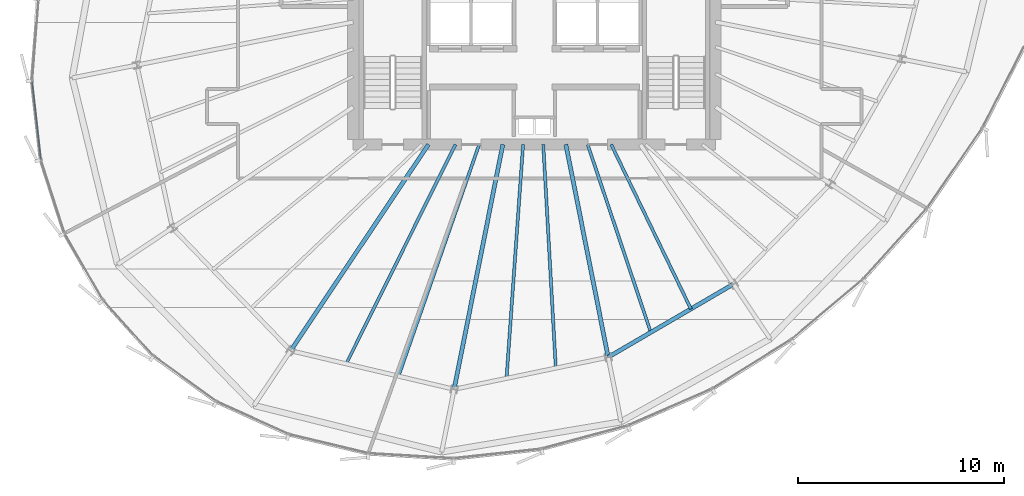
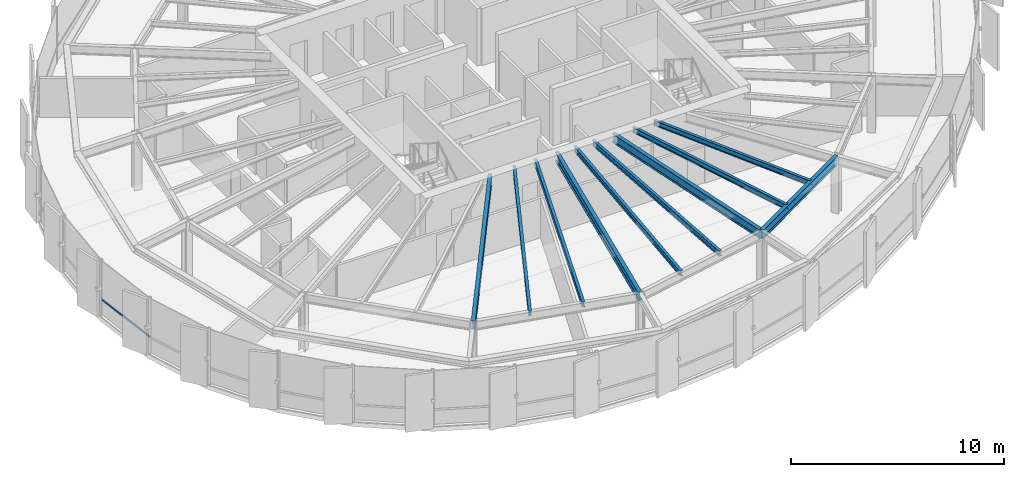
# One storey, part 8 of 35: 10 beams, 1 member, 1 element without a shape of its own.
"""IFC4 building model written with IfcOpenShell, lengths in metres."""

import ifcopenshell
import ifcopenshell.guid

model = None  # the IFC model being written
_history = None  # IfcOwnerHistory: only IFC2X3 demands one
_inside = {}  # id of a spatial element -> (the spatial element, [elements in it])
_under = {}  # id of a project, library or spatial element -> (it, [spatial elements below it])
_declared = {}  # id of a project -> (the project, [libraries it declares])
_typed = {}  # id of a type object -> (the type object, [elements of that type])
_made_of = {}  # id of a material, layer set ... -> (it, [elements and type objects made of it])


def new_model(schema):
    """Start an empty IFC model of exactly this schema.

    Asked for "IFC4X3", IfcOpenShell would pick the latest addendum, in which some entities
    have other attributes; the version numbers below select the first issue.
    IFC2X3 requires an IfcOwnerHistory on every rooted entity: one is made here for all.
    """
    global model, _history
    if schema == "IFC4X3":
        model = ifcopenshell.file(schema_version=(4, 3, 0, 0))
    else:
        model = ifcopenshell.file(schema=schema)
    _inside.clear()
    _under.clear()
    _declared.clear()
    _typed.clear()
    _made_of.clear()
    _history = None
    if model.schema == "IFC2X3":
        org = make("IfcOrganization", Name="unknown")
        user = make(
            "IfcPersonAndOrganization",
            ThePerson=make("IfcPerson", FamilyName="unknown"),
            TheOrganization=org,
        )
        app = make(
            "IfcApplication",
            ApplicationDeveloper=org,
            Version="unknown",
            ApplicationFullName="unknown",
            ApplicationIdentifier="unknown",
        )
        _history = make(
            "IfcOwnerHistory",
            OwningUser=user,
            OwningApplication=app,
            ChangeAction="ADDED",
            CreationDate=0,
        )
    return model


def make(cls, **values):
    """One entity of the class cls with the attributes given. An attribute that is None is left unset."""
    return model.create_entity(
        cls, **{name: value for name, value in values.items() if value is not None}
    )


def rooted(cls, **values):
    """An entity with a GlobalId (a new one), such as an element, a storey or a relation."""
    return make(cls, GlobalId=ifcopenshell.guid.new(), OwnerHistory=_history, **values)


def si_unit(unit_type, name, prefix=None):
    """IfcSIUnit, for example si_unit("LENGTHUNIT", "METRE", prefix="MILLI")."""
    return make("IfcSIUnit", UnitType=unit_type, Prefix=prefix, Name=name)


def assignment(units):
    """IfcUnitAssignment: the units of a project."""
    return None if units is None else make("IfcUnitAssignment", Units=units)


def point(xyz):
    """IfcCartesianPoint."""
    return None if xyz is None else make("IfcCartesianPoint", Coordinates=xyz)


def direction(xyz):
    """IfcDirection."""
    return None if xyz is None else make("IfcDirection", DirectionRatios=xyz)


def frame(location, z_axis=None, x_axis=None):
    """IfcAxis2Placement3D, a coordinate frame: its origin and axes. An axis left out is left unset."""
    return make(
        "IfcAxis2Placement3D",
        Location=point(location),
        Axis=direction(z_axis),
        RefDirection=direction(x_axis),
    )


def frame_2d(location, x_axis=None):
    """IfcAxis2Placement2D, a coordinate frame in the plane: its origin and x axis."""
    return make(
        "IfcAxis2Placement2D", Location=point(location), RefDirection=direction(x_axis)
    )


def origin():
    """The frame at (0, 0, 0) with its axes left unset."""
    return frame((0.0, 0.0, 0.0))


def origin_2d():
    """The frame at (0, 0) in the plane with its x axis left unset."""
    return frame_2d((0.0, 0.0))


def place(relative_to, where):
    """IfcLocalPlacement: puts the frame where relative to a parent placement (None: the world)."""
    return make(
        "IfcLocalPlacement", PlacementRelTo=relative_to, RelativePlacement=where
    )


def context(
    kind, dimensions, precision=None, world=None, true_north=None, identifier=None
):
    """IfcGeometricRepresentationContext, for example the 3D "Model" context."""
    return make(
        "IfcGeometricRepresentationContext",
        ContextIdentifier=identifier,
        ContextType=kind,
        CoordinateSpaceDimension=dimensions,
        Precision=precision,
        WorldCoordinateSystem=world,
        TrueNorth=true_north,
    )


def subcontext(parent, identifier, kind, view, scale=None):
    """IfcGeometricRepresentationSubContext, for example "Body" below "Model"."""
    return make(
        "IfcGeometricRepresentationSubContext",
        ContextIdentifier=identifier,
        ContextType=kind,
        ParentContext=parent,
        TargetScale=scale,
        TargetView=view,
    )


def project(units=None, contexts=None):
    """IfcProject with its units and contexts."""
    return rooted(
        "IfcProject",
        Name="project",
        RepresentationContexts=contexts,
        UnitsInContext=assignment(units),
    )


def spatial(cls, under=None, at=None, **own):
    """A site, building, storey or space (cls), placed at a placement, below another one or the project."""
    s = rooted(cls, ObjectPlacement=at, **own)
    if under is not None:
        _under.setdefault(under.id(), (under, []))[1].append(s)
    return s


def profile(cls, at=None, kind="AREA", **sizes):
    """A parametric profile (cls). Its sizes go by their IFC names, for example OverallWidth=200.0."""
    return make(cls, ProfileType=kind, Position=at, **sizes)


def hollow_rectangle(**sizes):
    """IfcRectangleHollowProfileDef."""
    return profile("IfcRectangleHollowProfileDef", **sizes)


def i_section(**sizes):
    """IfcIShapeProfileDef."""
    return profile("IfcIShapeProfileDef", **sizes)


def extrude(swept, where, along, depth):
    """IfcExtrudedAreaSolid: the profile swept, set in the frame where, extruded along a direction by depth."""
    return make(
        "IfcExtrudedAreaSolid",
        SweptArea=swept,
        Position=where,
        ExtrudedDirection=direction(along),
        Depth=depth,
    )


def shape(context_of_items, identifier, shape_type, items):
    """IfcShapeRepresentation: the items that make up one representation, for example the "Body"."""
    return make(
        "IfcShapeRepresentation",
        ContextOfItems=context_of_items,
        RepresentationIdentifier=identifier,
        RepresentationType=shape_type,
        Items=items,
    )


def source(mapping_origin, context_of_items, identifier, shape_type, items):
    """IfcRepresentationMap: a shape defined once, which mapped items show again and again."""
    return make(
        "IfcRepresentationMap",
        MappingOrigin=mapping_origin,
        MappedRepresentation=shape(context_of_items, identifier, shape_type, items),
    )


def transform(
    local_origin,
    x_axis=None,
    y_axis=None,
    z_axis=None,
    scale=None,
    scale2=None,
    scale3=None,
    uniform=True,
):
    """IfcCartesianTransformationOperator3D, or its non-uniform kind. x_axis, y_axis, z_axis: its Axis1, 2, 3."""
    if uniform:
        return make(
            "IfcCartesianTransformationOperator3D",
            Axis1=direction(x_axis),
            Axis2=direction(y_axis),
            LocalOrigin=point(local_origin),
            Scale=scale,
            Axis3=direction(z_axis),
        )
    return make(
        "IfcCartesianTransformationOperator3DnonUniform",
        Axis1=direction(x_axis),
        Axis2=direction(y_axis),
        LocalOrigin=point(local_origin),
        Scale=scale,
        Axis3=direction(z_axis),
        Scale2=scale2,
        Scale3=scale3,
    )


def mapped(mapping_source, mapping_target):
    """IfcMappedItem: shows the shape of a source again, moved by a transform."""
    return make(
        "IfcMappedItem", MappingSource=mapping_source, MappingTarget=mapping_target
    )


def material(Name=None, Category=None):
    """IfcMaterial."""
    return make("IfcMaterial", Name=Name, Category=Category)


def layer(
    of_material, thickness, ventilated=None, Name=None, Category=None, Priority=None
):
    """IfcMaterialLayer: one layer of a wall or slab, of a material (None: an air gap)."""
    return make(
        "IfcMaterialLayer",
        Material=of_material,
        LayerThickness=thickness,
        IsVentilated=ventilated,
        Name=Name,
        Category=Category,
        Priority=Priority,
    )


def layer_set(layers, Name=None):
    """IfcMaterialLayerSet."""
    return make("IfcMaterialLayerSet", MaterialLayers=layers, LayerSetName=Name)


def material_profile(
    of_material, cross_section, Name=None, Category=None, Priority=None
):
    """IfcMaterialProfile: a cross section and its material."""
    return make(
        "IfcMaterialProfile",
        Name=Name,
        Material=of_material,
        Profile=cross_section,
        Priority=Priority,
        Category=Category,
    )


def profile_set(profiles, Name=None, composite=None):
    """IfcMaterialProfileSet."""
    return make(
        "IfcMaterialProfileSet",
        Name=Name,
        MaterialProfiles=profiles,
        CompositeProfile=composite,
    )


def made_of(thing, what):
    """Note that an element or type object is made of a material, layer set ...; save() writes the relation."""
    if what is not None:
        _made_of.setdefault(what.id(), (what, []))[1].append(thing)
    return thing


def type_object(cls, material=None, **own):
    """A type object (cls), such as IfcWallType, which elements share."""
    return made_of(rooted(cls, **own), material)


def element(
    cls,
    number,
    at=None,
    inside=None,
    cuts=None,
    type_object=None,
    material=None,
    context=None,
    identifier="Body",
    shape_type=None,
    held_by="IfcProductDefinitionShape",
    body=None,
    shapes=None,
    **own,
):
    """One element of the class cls, such as IfcWall. Its Tag is "e" and its number.

    at: its placement. inside: the storey or other place that contains it. cuts: it is an
    opening in that element (IfcRelVoidsElement). A single representation is given by context,
    identifier, shape_type and body (its items); several are given by shapes. held_by: the class
    of the entity that holds the representations. save() writes the other relations.
    """
    e = rooted(cls, Tag="e%d" % number, ObjectPlacement=at, **own)
    if body is not None:
        shapes = [shape(context, identifier, shape_type, body)]
    if shapes is not None:
        e.Representation = make(held_by, Representations=shapes)
    if inside is not None:
        _inside.setdefault(inside.id(), (inside, []))[1].append(e)
    if cuts is not None:
        rooted(
            "IfcRelVoidsElement", RelatingBuildingElement=cuts, RelatedOpeningElement=e
        )
    if type_object is not None:
        _typed.setdefault(type_object.id(), (type_object, []))[1].append(e)
    return made_of(e, material)


def aggregate(whole, parts):
    """IfcRelAggregates: a whole, such as a stair, and the parts it consists of."""
    return rooted("IfcRelAggregates", RelatingObject=whole, RelatedObjects=parts)


def save(model, path):
    """Write the relations noted so far, then the file.

    IfcRelAggregates (storeys below a building ...), IfcRelContainedInSpatialStructure (elements
    in a storey), IfcRelDefinesByType, IfcRelAssociatesMaterial and IfcRelDeclares: one each for
    every whole, place, type object, material and project.
    """
    for whole, parts in _under.values():
        aggregate(whole, parts)
    for where, things in _inside.values():
        rooted(
            "IfcRelContainedInSpatialStructure",
            RelatedElements=things,
            RelatingStructure=where,
        )
    for kind, things in _typed.values():
        rooted("IfcRelDefinesByType", RelatedObjects=things, RelatingType=kind)
    for what, things in _made_of.values():
        rooted("IfcRelAssociatesMaterial", RelatedObjects=things, RelatingMaterial=what)
    for by, libraries in _declared.values():
        rooted("IfcRelDeclares", RelatingContext=by, RelatedDefinitions=libraries)
    model.write(path)


model = new_model("IFC4")

# Units and contexts
model_context = context("Model", 3, precision=1e-05, world=origin(), true_north=direction((0.0, 1.0)))
body_context = subcontext(model_context, "Body", "Model", "MODEL_VIEW")
ifc_project = project(units=[si_unit("LENGTHUNIT", "METRE"), si_unit("AREAUNIT", "SQUARE_METRE"), si_unit("VOLUMEUNIT", "CUBIC_METRE"), si_unit("PLANEANGLEUNIT", "RADIAN"), si_unit("MASSUNIT", "GRAM", prefix="KILO"), si_unit("THERMODYNAMICTEMPERATUREUNIT", "KELVIN")], contexts=[model_context])

# Site, building, storey
site_placement = place(None, origin())
site = spatial("IfcSite", under=ifc_project, at=site_placement, CompositionType="ELEMENT")
building_placement = place(site_placement, origin())
building = spatial("IfcBuilding", under=site, at=building_placement, Name="Kethvar Cultural Tower", CompositionType="ELEMENT")
storey_placement = place(building_placement, frame((0.0, 0.0, 179.89990234375)))
storey = spatial("IfcBuildingStorey", under=building, at=storey_placement, Name="L46", CompositionType="ELEMENT", Elevation=179.89990234375)

# Beams
ifc_material_1 = material(Name="Steel S355J2", Category="steel")
ifc_material_profile_1 = material_profile(ifc_material_1, i_section(OverallWidth=0.199951171875, OverallDepth=0.5, WebThickness=0.01025390625, FlangeThickness=0.01611328125, FilletRadius=0.02099609375, at=origin_2d()), Name="Steel S355J2 — IPE500")
ifc_profile_set_1 = profile_set([ifc_material_profile_1], Name="Steel S355J2 — IPE500")
beam_type_1 = type_object("IfcBeamType", Name="BM-IPE500", PredefinedType="BEAM", material=ifc_profile_set_1)
shared_shape_1 = source(origin(), body_context, "Body", "SweptSolid", [
    extrude(i_section(OverallWidth=0.199951171875, OverallDepth=0.5, WebThickness=0.01025390625, FlangeThickness=0.01611328125, FilletRadius=0.02099609375, at=origin_2d()), origin(), (0.0, 0.0, 1.0), 12.0458984375),
])
beam_1_placement = place(storey_placement, frame((41.655029296875, 20.10009765625, 3.008056640625), z_axis=(-0.555569831996, -0.831469880258, 0.0), x_axis=(0.831469880258, -0.555569831996, 0.0)))
element("IfcBeam", 1, at=beam_1_placement, inside=storey, type_object=beam_type_1, Name="L46 Primary Radial Beam RB-11", PredefinedType="BEAM", context=body_context, shape_type="MappedRepresentation", body=[
    mapped(shared_shape_1, transform((0.0, 0.0, 0.0), scale=1.0)),
])
shared_shape_2 = source(origin(), body_context, "Body", "SweptSolid", [
    extrude(i_section(OverallWidth=0.199951171875, OverallDepth=0.5, WebThickness=0.01025390625, FlangeThickness=0.01611328125, FilletRadius=0.02099609375, at=origin_2d()), origin(), (0.0, 0.0, 1.0), 12.1220703125),
])
beam_2_placement = place(storey_placement, frame((45.268310546875, 20.10009765625, 3.008056640625), z_axis=(-0.195078030057, -0.980787725346, 0.0), x_axis=(0.980787725346, -0.195078030057, 0.0)))
element("IfcBeam", 2, at=beam_2_placement, inside=storey, type_object=beam_type_1, Name="L46 Primary Radial Beam RB-12", PredefinedType="BEAM", context=body_context, shape_type="MappedRepresentation", body=[
    mapped(shared_shape_2, transform((0.0, 0.0, 0.0), scale=1.0)),
])
shared_shape_3 = source(origin(), body_context, "Body", "SweptSolid", [
    extrude(i_section(OverallWidth=0.199951171875, OverallDepth=0.5, WebThickness=0.01025390625, FlangeThickness=0.01611328125, FilletRadius=0.02099609375, at=origin_2d()), origin(), (0.0, 0.0, 1.0), 10.533935546875),
])
beam_3_placement = place(storey_placement, frame((48.33154296875, 20.10009765625, 3.008056640625), z_axis=(0.19509982917, -0.980783389265, 0.0), x_axis=(0.980783389265, 0.19509982917, 0.0)))
element("IfcBeam", 3, at=beam_3_placement, inside=storey, type_object=beam_type_1, Name="L46 Primary Radial Beam RB-13", PredefinedType="BEAM", context=body_context, shape_type="MappedRepresentation", body=[
    mapped(shared_shape_3, transform((0.0, 0.0, 0.0), scale=1.0)),
])
ifc_material_profile_2 = material_profile(ifc_material_1, i_section(OverallWidth=0.14990234375, OverallDepth=0.300048828125, WebThickness=0.007080078125, FlangeThickness=0.0107421875, FilletRadius=0.014892578125, at=origin_2d()), Name="Steel S355J2 — IPE300")
ifc_profile_set_2 = profile_set([ifc_material_profile_2], Name="Steel S355J2 — IPE300")
beam_type_2 = type_object("IfcBeamType", Name="BM-J300", PredefinedType="JOIST", material=ifc_profile_set_2)
shared_shape_4 = source(origin(), body_context, "Body", "SweptSolid", [
    extrude(i_section(OverallWidth=0.14990234375, OverallDepth=0.300048828125, WebThickness=0.007080078125, FlangeThickness=0.0107421875, FilletRadius=0.014892578125, at=origin_2d()), origin(), (0.0, 0.0, 1.0), 11.900146484375),
])
beam_4_placement = place(storey_placement, frame((42.96630859375, 20.10009765625, 3.108154296875), z_axis=(-0.445686564233, -0.89518907861, 0.0), x_axis=(0.89518907861, -0.445686564233, 0.0)))
element("IfcBeam", 4, at=beam_4_placement, inside=storey, type_object=beam_type_2, Name="L46 Composite Floor Joist J-11A", PredefinedType="JOIST", context=body_context, shape_type="MappedRepresentation", body=[
    mapped(shared_shape_4, transform((0.0, 0.0, 0.0), scale=1.0)),
])
shared_shape_5 = source(origin(), body_context, "Body", "SweptSolid", [
    extrude(i_section(OverallWidth=0.14990234375, OverallDepth=0.300048828125, WebThickness=0.007080078125, FlangeThickness=0.0107421875, FilletRadius=0.014892578125, at=origin_2d()), origin(), (0.0, 0.0, 1.0), 11.914306640625),
])
beam_5_placement = place(storey_placement, frame((44.1201171875, 20.10009765625, 3.108154296875), z_axis=(-0.328722490218, -0.944426558513, 0.0), x_axis=(0.944426558513, -0.328722490218, 0.0)))
element("IfcBeam", 5, at=beam_5_placement, inside=storey, type_object=beam_type_2, Name="L46 Composite Floor Joist J-11B", PredefinedType="JOIST", context=body_context, shape_type="MappedRepresentation", body=[
    mapped(shared_shape_5, transform((0.0, 0.0, 0.0), scale=1.0)),
])
shared_shape_6 = source(origin(), body_context, "Body", "SweptSolid", [
    extrude(i_section(OverallWidth=0.14990234375, OverallDepth=0.300048828125, WebThickness=0.007080078125, FlangeThickness=0.0107421875, FilletRadius=0.014892578125, at=origin_2d()), origin(), (0.0, 0.0, 1.0), 11.38818359375),
])
beam_6_placement = place(storey_placement, frame((46.253662109375, 20.10009765625, 3.108154296875), z_axis=(-0.070767133242, -0.99749286356, 0.0), x_axis=(0.99749286356, -0.070767133242, 0.0)))
element("IfcBeam", 6, at=beam_6_placement, inside=storey, type_object=beam_type_2, Name="L46 Composite Floor Joist J-12A", PredefinedType="JOIST", context=body_context, shape_type="MappedRepresentation", body=[
    mapped(shared_shape_6, transform((0.0, 0.0, 0.0), scale=1.0)),
])
shared_shape_7 = source(origin(), body_context, "Body", "SweptSolid", [
    extrude(i_section(OverallWidth=0.14990234375, OverallDepth=0.300048828125, WebThickness=0.007080078125, FlangeThickness=0.0107421875, FilletRadius=0.014892578125, at=origin_2d()), origin(), (0.0, 0.0, 1.0), 10.878173828125),
])
beam_7_placement = place(storey_placement, frame((47.232421875, 20.10009765625, 3.108154296875), z_axis=(0.056062922639, -0.998427237562, 0.0), x_axis=(0.998427237562, 0.056062922639, 0.0)))
element("IfcBeam", 7, at=beam_7_placement, inside=storey, type_object=beam_type_2, Name="L46 Composite Floor Joist J-12B", PredefinedType="JOIST", context=body_context, shape_type="MappedRepresentation", body=[
    mapped(shared_shape_7, transform((0.0, 0.0, 0.0), scale=1.0)),
])
shared_shape_8 = source(origin(), body_context, "Body", "SweptSolid", [
    extrude(i_section(OverallWidth=0.199951171875, OverallDepth=0.5, WebThickness=0.01025390625, FlangeThickness=0.01611328125, FilletRadius=0.02099609375, at=origin_2d()), origin(), (0.0, 0.0, 1.0), 7.048583984375),
])
beam_8_placement = place(storey_placement, frame((50.38671875, 9.7685546875, 3.008056640625), z_axis=(0.863718593305, 0.503974395757, 0.0), x_axis=(-0.503974395757, 0.863718593305, 0.0)))
element("IfcBeam", 8, at=beam_8_placement, inside=storey, type_object=beam_type_1, Name="L46 Column Ring Tie Beam CR-13", PredefinedType="BEAM", context=body_context, shape_type="MappedRepresentation", body=[
    mapped(shared_shape_8, transform((0.0, 0.0, 0.0), scale=1.0)),
])
shared_shape_9 = source(origin(), body_context, "Body", "SweptSolid", [
    extrude(i_section(OverallWidth=0.14990234375, OverallDepth=0.300048828125, WebThickness=0.007080078125, FlangeThickness=0.0107421875, FilletRadius=0.014892578125, at=origin_2d()), origin(), (0.0, 0.0, 1.0), 9.625732421875),
])
beam_9_placement = place(storey_placement, frame((49.388916015625, 20.10009765625, 3.108154296875), z_axis=(0.31869202774, -0.947858318239, 0.0), x_axis=(0.947858318239, 0.31869202774, 0.0)))
element("IfcBeam", 9, at=beam_9_placement, inside=storey, type_object=beam_type_2, Name="L46 Composite Floor Joist J-13A", PredefinedType="JOIST", context=body_context, shape_type="MappedRepresentation", body=[
    mapped(shared_shape_9, transform((0.0, 0.0, 0.0), scale=1.0)),
])
shared_shape_10 = source(origin(), body_context, "Body", "SweptSolid", [
    extrude(i_section(OverallWidth=0.14990234375, OverallDepth=0.300048828125, WebThickness=0.007080078125, FlangeThickness=0.0107421875, FilletRadius=0.014892578125, at=origin_2d()), origin(), (0.0, 0.0, 1.0), 8.8759765625),
])
beam_10_placement = place(storey_placement, frame((50.532958984375, 20.10009765625, 3.108154296875), z_axis=(0.436210743691, -0.899844534955, 0.0), x_axis=(0.899844534955, 0.436210743691, 0.0)))
element("IfcBeam", 10, at=beam_10_placement, inside=storey, type_object=beam_type_2, Name="L46 Composite Floor Joist J-13B", PredefinedType="JOIST", context=body_context, shape_type="MappedRepresentation", body=[
    mapped(shared_shape_10, transform((0.0, 0.0, 0.0), scale=1.0)),
])

# Curtain wall, member
ifc_material_2 = material(Name="Aluminium 6063-T6", Category="aluminium")
ifc_layer = layer(ifc_material_2, 0.179931640625, Name="Aluminium 6063-T6", Category="aluminium")
ifc_layer_set = layer_set([ifc_layer], Name="Aluminium 6063-T6 (180 mm)")
curtain_wall_type = type_object("IfcCurtainWallType", Name="CW-SYS-04-Z34", PredefinedType="NOTDEFINED", material=ifc_layer_set)
curtain_wall_placement = place(storey_placement, origin())
curtain_wall = element("IfcCurtainWall", 11, at=curtain_wall_placement, inside=storey, type_object=curtain_wall_type, Name="L46 Curtain Wall Run 03", PredefinedType="NOTDEFINED")
ifc_material_profile_3 = material_profile(ifc_material_2, hollow_rectangle(XDim=0.050048828125, YDim=0.10009765625, WallThickness=0.00390625, at=origin_2d()), Name="Aluminium 6063-T6 — RHS100x50x4")
ifc_profile_set_3 = profile_set([ifc_material_profile_3], Name="Aluminium 6063-T6 — RHS100x50x4")
member_type = type_object("IfcMemberType", Name="CW-SYS-04-Z34-TRN", PredefinedType="USERDEFINED", material=ifc_profile_set_3)
shared_shape_11 = source(origin(), body_context, "Body", "SweptSolid", [
    extrude(hollow_rectangle(XDim=0.050048828125, YDim=0.10009765625, WallThickness=0.00390625, at=origin_2d()), origin(), (0.0, 0.0, 1.0), 3.791259765625),
])
member_placement = place(storey_placement, frame((22.410888671875, 23.15185546875, 0.9501953125), z_axis=(0.110890928978, -0.993832582415, 0.0), x_axis=(0.993832582415, 0.110890928978, 0.0)))
member = element("IfcMember", 12, at=member_placement, type_object=member_type, Name="CW-L46-R03 Transom 4", ObjectType="TRANSOM", PredefinedType="USERDEFINED", context=body_context, shape_type="MappedRepresentation", body=[
    mapped(shared_shape_11, transform((0.0, 0.0, 0.0), scale=1.0)),
])
aggregate(curtain_wall, [member])

save(model, "model.ifc")
